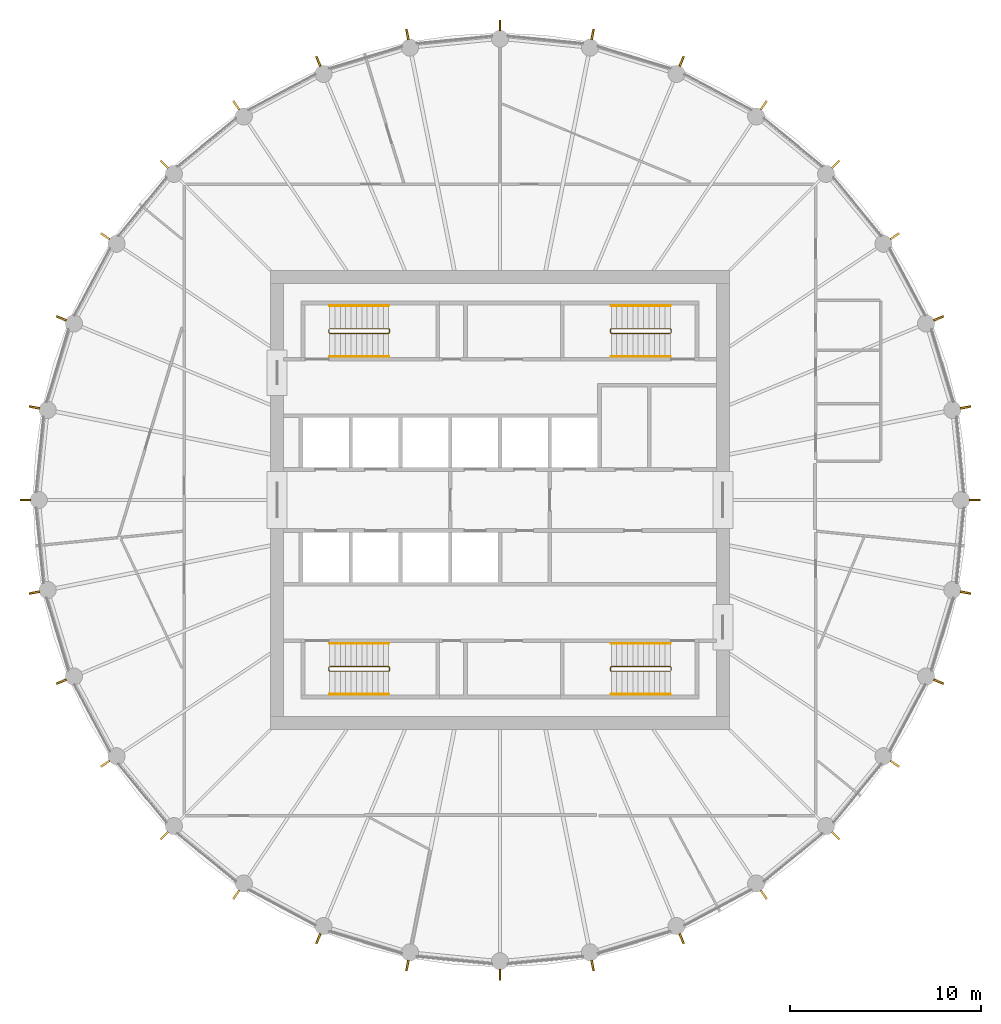
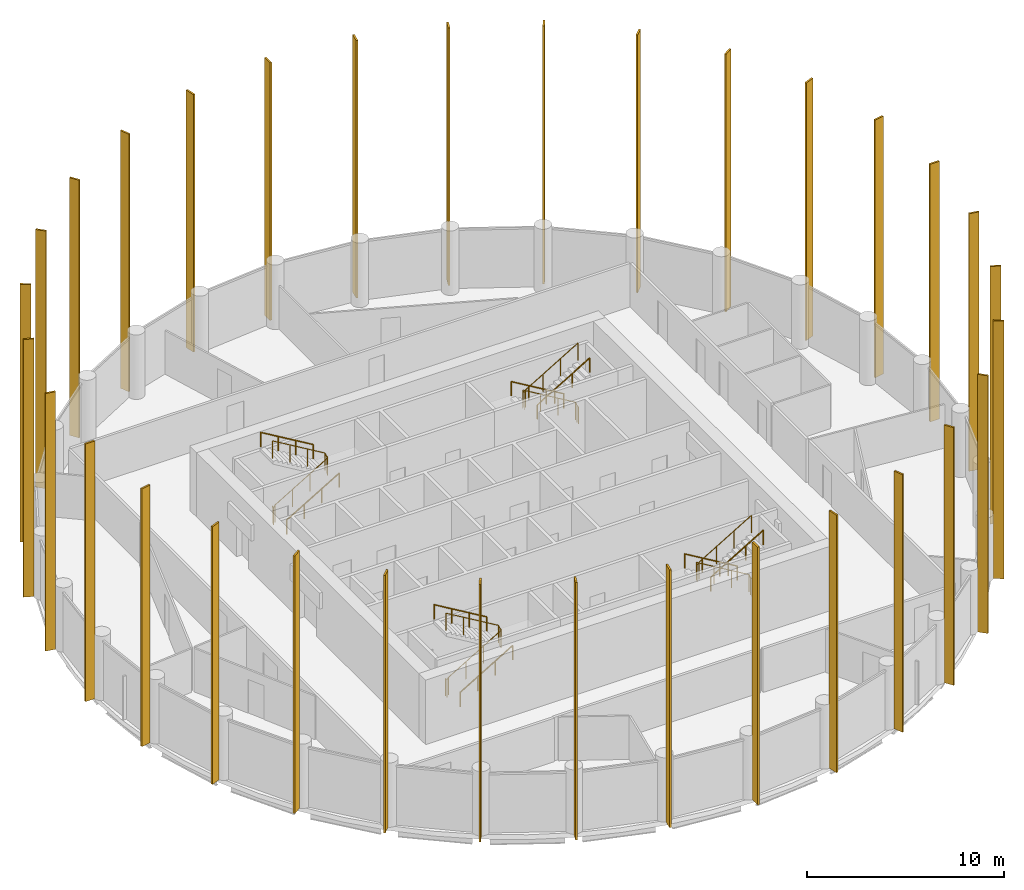
# One storey, part 7 of 7: 32 shading devices, 12 railings.
"""IFC4 building model written with IfcOpenShell, lengths in metres."""

from ifc_helpers import new_model, si_unit, direction, frame, origin, origin_2d, place, context, subcontext, project, spatial, rectangle, circle, extrude, material, material_profile, profile_set, type_object, element, save


model = new_model("IFC4")

# Units and contexts
model_context = context("Model", 3, precision=1e-05, world=origin(), true_north=direction((0.0, 1.0)))
body_context = subcontext(model_context, "Body", "Model", "MODEL_VIEW")
ifc_project = project(units=[si_unit("LENGTHUNIT", "METRE"), si_unit("AREAUNIT", "SQUARE_METRE"), si_unit("VOLUMEUNIT", "CUBIC_METRE"), si_unit("PLANEANGLEUNIT", "RADIAN"), si_unit("MASSUNIT", "GRAM", prefix="KILO")], contexts=[model_context])

# Site, building, storey
site_placement = place(None, origin())
site = spatial("IfcSite", under=ifc_project, at=site_placement, CompositionType="ELEMENT")
building_placement = place(site_placement, origin())
building = spatial("IfcBuilding", under=site, at=building_placement, Name="Corvane Civic Tower", CompositionType="ELEMENT")
storey_placement = place(building_placement, frame((0.0, 0.0, 279.0)))
storey = spatial("IfcBuildingStorey", under=building, at=storey_placement, Name="L66", CompositionType="ELEMENT", Elevation=279.0)

# Railings
ifc_material_1 = material(Name="Steel ASTM A572 Gr 50", Category="steel")
railing_type_1 = type_object("IfcRailingType", Name="ST-GUARD-1100", PredefinedType="GUARDRAIL", material=ifc_material_1)
railing_1_placement = place(storey_placement, frame((8.949951171875, 8.75, 0.0)))
element("IfcRailing", 1, at=railing_1_placement, inside=storey, type_object=railing_type_1, Name="L66 ST1 stair guard 1", PredefinedType="GUARDRAIL", context=body_context, shape_type="SweptSolid", body=[
    extrude(circle(Radius=0.02392578125, at=origin_2d()), frame((0.0, 0.0, 1.076171875), z_axis=(0.0, 1.0, 0.0), x_axis=(-1.0, 0.0, 0.0)), (0.0, 0.0, 1.0), 0.14990234375),
    extrude(circle(Radius=0.02392578125, at=origin_2d()), frame((0.0, 0.14990234375, 1.076171875), z_axis=(-0.27628659633, 0.27628659633, 0.920506074601), x_axis=(-0.707106781187, -0.707106781187, 0.0)), (0.0, 0.0, 1.0), 0.18115234375),
    extrude(circle(Radius=0.02392578125, at=origin_2d()), frame((-0.050048828125, 0.199951171875, 1.24267578125), z_axis=(-0.859290745958, 0.0, 0.51148745235), x_axis=(0.0, -1.0, 0.0)), (0.0, 0.0, 1.0), 3.584228515625),
    extrude(circle(Radius=0.02392578125, at=origin_2d()), frame((-3.1298828125, 0.199951171875, 3.076171875), z_axis=(-0.707106781187, -0.707106781187, 0.0), x_axis=(0.707106781187, -0.707106781187, 0.0)), (0.0, 0.0, 1.0), 0.07080078125),
    extrude(circle(Radius=0.02392578125, at=origin_2d()), frame((-3.179931640625, 0.14990234375, 3.076171875), z_axis=(0.0, -1.0, 0.0), x_axis=(1.0, 0.0, 0.0)), (0.0, 0.0, 1.0), 0.14990234375),
    extrude(circle(Radius=0.02392578125, at=origin_2d()), frame((-3.179931640625, 0.0, 3.076171875), z_axis=(0.27628659633, -0.27628659633, 0.920506074601), x_axis=(0.707106781187, 0.707106781187, 0.0)), (0.0, 0.0, 1.0), 0.18115234375),
    extrude(circle(Radius=0.02392578125, at=origin_2d()), frame((-3.1298828125, -0.050048828125, 3.24267578125), z_axis=(0.859290745958, 0.0, 0.51148745235), x_axis=(0.0, 1.0, 0.0)), (0.0, 0.0, 1.0), 3.584228515625),
    extrude(circle(Radius=0.02099609375, at=origin_2d()), origin(), (0.0, 0.0, 1.0), 1.052001953125),
    extrude(circle(Radius=0.02099609375, at=origin_2d()), frame((0.0, 0.14990234375, 0.0)), (0.0, 0.0, 1.0), 1.052001953125),
    extrude(circle(Radius=0.02099609375, at=origin_2d()), frame((-0.050048828125, 0.199951171875, 0.166748046875)), (0.0, 0.0, 1.0), 1.052001953125),
    extrude(circle(Radius=0.02099609375, at=origin_2d()), frame((-1.07666015625, 0.199951171875, 0.77783203125)), (0.0, 0.0, 1.0), 1.052001953125),
    extrude(circle(Radius=0.02099609375, at=origin_2d()), frame((-2.103271484375, 0.199951171875, 1.388916015625)), (0.0, 0.0, 1.0), 1.052001953125),
    extrude(circle(Radius=0.02099609375, at=origin_2d()), frame((-3.1298828125, 0.199951171875, 2.0)), (0.0, 0.0, 1.0), 1.052001953125),
    extrude(circle(Radius=0.02099609375, at=origin_2d()), frame((-3.179931640625, 0.14990234375, 2.0)), (0.0, 0.0, 1.0), 1.052001953125),
    extrude(circle(Radius=0.02099609375, at=origin_2d()), frame((-3.179931640625, 0.0, 2.0)), (0.0, 0.0, 1.0), 1.052001953125),
    extrude(circle(Radius=0.02099609375, at=origin_2d()), frame((-3.1298828125, -0.050048828125, 2.166748046875)), (0.0, 0.0, 1.0), 1.052001953125),
    extrude(circle(Radius=0.02099609375, at=origin_2d()), frame((-2.103271484375, -0.050048828125, 2.77783203125)), (0.0, 0.0, 1.0), 1.052001953125),
    extrude(circle(Radius=0.02099609375, at=origin_2d()), frame((-1.07666015625, -0.050048828125, 3.388916015625)), (0.0, 0.0, 1.0), 1.052001953125),
    extrude(circle(Radius=0.02099609375, at=origin_2d()), frame((-0.050048828125, -0.050048828125, 4.0)), (0.0, 0.0, 1.0), 1.052001953125),
])
railing_2_placement = place(storey_placement, frame((8.949951171875, -8.89990234375, 0.0)))
element("IfcRailing", 2, at=railing_2_placement, inside=storey, type_object=railing_type_1, Name="L66 ST2 stair guard 1", PredefinedType="GUARDRAIL", context=body_context, shape_type="SweptSolid", body=[
    extrude(circle(Radius=0.02392578125, at=origin_2d()), frame((0.0, 0.0, 1.076171875), z_axis=(0.0, 1.0, 0.0), x_axis=(-1.0, 0.0, 0.0)), (0.0, 0.0, 1.0), 0.14990234375),
    extrude(circle(Radius=0.02392578125, at=origin_2d()), frame((0.0, 0.14990234375, 1.076171875), z_axis=(-0.27628659633, 0.27628659633, 0.920506074601), x_axis=(-0.707106781187, -0.707106781187, 0.0)), (0.0, 0.0, 1.0), 0.18115234375),
    extrude(circle(Radius=0.02392578125, at=origin_2d()), frame((-0.050048828125, 0.199951171875, 1.24267578125), z_axis=(-0.859290745958, 0.0, 0.51148745235), x_axis=(0.0, -1.0, 0.0)), (0.0, 0.0, 1.0), 3.584228515625),
    extrude(circle(Radius=0.02392578125, at=origin_2d()), frame((-3.1298828125, 0.199951171875, 3.076171875), z_axis=(-0.707106781187, -0.707106781187, 0.0), x_axis=(0.707106781187, -0.707106781187, 0.0)), (0.0, 0.0, 1.0), 0.07080078125),
    extrude(circle(Radius=0.02392578125, at=origin_2d()), frame((-3.179931640625, 0.14990234375, 3.076171875), z_axis=(0.0, -1.0, 0.0), x_axis=(1.0, 0.0, 0.0)), (0.0, 0.0, 1.0), 0.14990234375),
    extrude(circle(Radius=0.02392578125, at=origin_2d()), frame((-3.179931640625, 0.0, 3.076171875), z_axis=(0.27628659633, -0.27628659633, 0.920506074601), x_axis=(0.707106781187, 0.707106781187, 0.0)), (0.0, 0.0, 1.0), 0.18115234375),
    extrude(circle(Radius=0.02392578125, at=origin_2d()), frame((-3.1298828125, -0.050048828125, 3.24267578125), z_axis=(0.859290745958, 0.0, 0.51148745235), x_axis=(0.0, 1.0, 0.0)), (0.0, 0.0, 1.0), 3.584228515625),
    extrude(circle(Radius=0.02099609375, at=origin_2d()), origin(), (0.0, 0.0, 1.0), 1.052001953125),
    extrude(circle(Radius=0.02099609375, at=origin_2d()), frame((0.0, 0.14990234375, 0.0)), (0.0, 0.0, 1.0), 1.052001953125),
    extrude(circle(Radius=0.02099609375, at=origin_2d()), frame((-0.050048828125, 0.199951171875, 0.166748046875)), (0.0, 0.0, 1.0), 1.052001953125),
    extrude(circle(Radius=0.02099609375, at=origin_2d()), frame((-1.07666015625, 0.199951171875, 0.77783203125)), (0.0, 0.0, 1.0), 1.052001953125),
    extrude(circle(Radius=0.02099609375, at=origin_2d()), frame((-2.103271484375, 0.199951171875, 1.388916015625)), (0.0, 0.0, 1.0), 1.052001953125),
    extrude(circle(Radius=0.02099609375, at=origin_2d()), frame((-3.1298828125, 0.199951171875, 2.0)), (0.0, 0.0, 1.0), 1.052001953125),
    extrude(circle(Radius=0.02099609375, at=origin_2d()), frame((-3.179931640625, 0.14990234375, 2.0)), (0.0, 0.0, 1.0), 1.052001953125),
    extrude(circle(Radius=0.02099609375, at=origin_2d()), frame((-3.179931640625, 0.0, 2.0)), (0.0, 0.0, 1.0), 1.052001953125),
    extrude(circle(Radius=0.02099609375, at=origin_2d()), frame((-3.1298828125, -0.050048828125, 2.166748046875)), (0.0, 0.0, 1.0), 1.052001953125),
    extrude(circle(Radius=0.02099609375, at=origin_2d()), frame((-2.103271484375, -0.050048828125, 2.77783203125)), (0.0, 0.0, 1.0), 1.052001953125),
    extrude(circle(Radius=0.02099609375, at=origin_2d()), frame((-1.07666015625, -0.050048828125, 3.388916015625)), (0.0, 0.0, 1.0), 1.052001953125),
    extrude(circle(Radius=0.02099609375, at=origin_2d()), frame((-0.050048828125, -0.050048828125, 4.0)), (0.0, 0.0, 1.0), 1.052001953125),
])
railing_3_placement = place(storey_placement, frame((-8.949951171875, -8.75, 0.0)))
element("IfcRailing", 3, at=railing_3_placement, inside=storey, type_object=railing_type_1, Name="L66 ST3 stair guard 1", PredefinedType="GUARDRAIL", context=body_context, shape_type="SweptSolid", body=[
    extrude(circle(Radius=0.02392578125, at=origin_2d()), frame((0.0, 0.0, 1.076171875), z_axis=(0.0, -1.0, 0.0), x_axis=(1.0, 0.0, 0.0)), (0.0, 0.0, 1.0), 0.14990234375),
    extrude(circle(Radius=0.02392578125, at=origin_2d()), frame((0.0, -0.14990234375, 1.076171875), z_axis=(0.27628659633, -0.27628659633, 0.920506074601), x_axis=(0.707106781187, 0.707106781187, 0.0)), (0.0, 0.0, 1.0), 0.18115234375),
    extrude(circle(Radius=0.02392578125, at=origin_2d()), frame((0.050048828125, -0.199951171875, 1.24267578125), z_axis=(0.859290745958, 0.0, 0.51148745235), x_axis=(0.0, 1.0, 0.0)), (0.0, 0.0, 1.0), 3.584228515625),
    extrude(circle(Radius=0.02392578125, at=origin_2d()), frame((3.1298828125, -0.199951171875, 3.076171875), z_axis=(0.707106781187, 0.707106781187, 0.0), x_axis=(-0.707106781187, 0.707106781187, 0.0)), (0.0, 0.0, 1.0), 0.07080078125),
    extrude(circle(Radius=0.02392578125, at=origin_2d()), frame((3.179931640625, -0.14990234375, 3.076171875), z_axis=(0.0, 1.0, 0.0), x_axis=(-1.0, 0.0, 0.0)), (0.0, 0.0, 1.0), 0.14990234375),
    extrude(circle(Radius=0.02392578125, at=origin_2d()), frame((3.179931640625, 0.0, 3.076171875), z_axis=(-0.27628659633, 0.27628659633, 0.920506074601), x_axis=(-0.707106781187, -0.707106781187, 0.0)), (0.0, 0.0, 1.0), 0.18115234375),
    extrude(circle(Radius=0.02392578125, at=origin_2d()), frame((3.1298828125, 0.050048828125, 3.24267578125), z_axis=(-0.859290745958, 0.0, 0.51148745235), x_axis=(0.0, -1.0, 0.0)), (0.0, 0.0, 1.0), 3.584228515625),
    extrude(circle(Radius=0.02099609375, at=origin_2d()), origin(), (0.0, 0.0, 1.0), 1.052001953125),
    extrude(circle(Radius=0.02099609375, at=origin_2d()), frame((0.0, -0.14990234375, 0.0)), (0.0, 0.0, 1.0), 1.052001953125),
    extrude(circle(Radius=0.02099609375, at=origin_2d()), frame((0.050048828125, -0.199951171875, 0.166748046875)), (0.0, 0.0, 1.0), 1.052001953125),
    extrude(circle(Radius=0.02099609375, at=origin_2d()), frame((1.07666015625, -0.199951171875, 0.77783203125)), (0.0, 0.0, 1.0), 1.052001953125),
    extrude(circle(Radius=0.02099609375, at=origin_2d()), frame((2.103271484375, -0.199951171875, 1.388916015625)), (0.0, 0.0, 1.0), 1.052001953125),
    extrude(circle(Radius=0.02099609375, at=origin_2d()), frame((3.1298828125, -0.199951171875, 2.0)), (0.0, 0.0, 1.0), 1.052001953125),
    extrude(circle(Radius=0.02099609375, at=origin_2d()), frame((3.179931640625, -0.14990234375, 2.0)), (0.0, 0.0, 1.0), 1.052001953125),
    extrude(circle(Radius=0.02099609375, at=origin_2d()), frame((3.179931640625, 0.0, 2.0)), (0.0, 0.0, 1.0), 1.052001953125),
    extrude(circle(Radius=0.02099609375, at=origin_2d()), frame((3.1298828125, 0.050048828125, 2.166748046875)), (0.0, 0.0, 1.0), 1.052001953125),
    extrude(circle(Radius=0.02099609375, at=origin_2d()), frame((2.103271484375, 0.050048828125, 2.77783203125)), (0.0, 0.0, 1.0), 1.052001953125),
    extrude(circle(Radius=0.02099609375, at=origin_2d()), frame((1.07666015625, 0.050048828125, 3.388916015625)), (0.0, 0.0, 1.0), 1.052001953125),
    extrude(circle(Radius=0.02099609375, at=origin_2d()), frame((0.050048828125, 0.050048828125, 4.0)), (0.0, 0.0, 1.0), 1.052001953125),
])
railing_4_placement = place(storey_placement, frame((-8.949951171875, 8.89990234375, 0.0)))
element("IfcRailing", 4, at=railing_4_placement, inside=storey, type_object=railing_type_1, Name="L66 ST4 stair guard 1", PredefinedType="GUARDRAIL", context=body_context, shape_type="SweptSolid", body=[
    extrude(circle(Radius=0.02392578125, at=origin_2d()), frame((0.0, 0.0, 1.076171875), z_axis=(0.0, -1.0, 0.0), x_axis=(1.0, 0.0, 0.0)), (0.0, 0.0, 1.0), 0.14990234375),
    extrude(circle(Radius=0.02392578125, at=origin_2d()), frame((0.0, -0.14990234375, 1.076171875), z_axis=(0.27628659633, -0.27628659633, 0.920506074601), x_axis=(0.707106781187, 0.707106781187, 0.0)), (0.0, 0.0, 1.0), 0.18115234375),
    extrude(circle(Radius=0.02392578125, at=origin_2d()), frame((0.050048828125, -0.199951171875, 1.24267578125), z_axis=(0.859290745958, 0.0, 0.51148745235), x_axis=(0.0, 1.0, 0.0)), (0.0, 0.0, 1.0), 3.584228515625),
    extrude(circle(Radius=0.02392578125, at=origin_2d()), frame((3.1298828125, -0.199951171875, 3.076171875), z_axis=(0.707106781187, 0.707106781187, 0.0), x_axis=(-0.707106781187, 0.707106781187, 0.0)), (0.0, 0.0, 1.0), 0.07080078125),
    extrude(circle(Radius=0.02392578125, at=origin_2d()), frame((3.179931640625, -0.14990234375, 3.076171875), z_axis=(0.0, 1.0, 0.0), x_axis=(-1.0, 0.0, 0.0)), (0.0, 0.0, 1.0), 0.14990234375),
    extrude(circle(Radius=0.02392578125, at=origin_2d()), frame((3.179931640625, 0.0, 3.076171875), z_axis=(-0.27628659633, 0.27628659633, 0.920506074601), x_axis=(-0.707106781187, -0.707106781187, 0.0)), (0.0, 0.0, 1.0), 0.18115234375),
    extrude(circle(Radius=0.02392578125, at=origin_2d()), frame((3.1298828125, 0.050048828125, 3.24267578125), z_axis=(-0.859290745958, 0.0, 0.51148745235), x_axis=(0.0, -1.0, 0.0)), (0.0, 0.0, 1.0), 3.584228515625),
    extrude(circle(Radius=0.02099609375, at=origin_2d()), origin(), (0.0, 0.0, 1.0), 1.052001953125),
    extrude(circle(Radius=0.02099609375, at=origin_2d()), frame((0.0, -0.14990234375, 0.0)), (0.0, 0.0, 1.0), 1.052001953125),
    extrude(circle(Radius=0.02099609375, at=origin_2d()), frame((0.050048828125, -0.199951171875, 0.166748046875)), (0.0, 0.0, 1.0), 1.052001953125),
    extrude(circle(Radius=0.02099609375, at=origin_2d()), frame((1.07666015625, -0.199951171875, 0.77783203125)), (0.0, 0.0, 1.0), 1.052001953125),
    extrude(circle(Radius=0.02099609375, at=origin_2d()), frame((2.103271484375, -0.199951171875, 1.388916015625)), (0.0, 0.0, 1.0), 1.052001953125),
    extrude(circle(Radius=0.02099609375, at=origin_2d()), frame((3.1298828125, -0.199951171875, 2.0)), (0.0, 0.0, 1.0), 1.052001953125),
    extrude(circle(Radius=0.02099609375, at=origin_2d()), frame((3.179931640625, -0.14990234375, 2.0)), (0.0, 0.0, 1.0), 1.052001953125),
    extrude(circle(Radius=0.02099609375, at=origin_2d()), frame((3.179931640625, 0.0, 2.0)), (0.0, 0.0, 1.0), 1.052001953125),
    extrude(circle(Radius=0.02099609375, at=origin_2d()), frame((3.1298828125, 0.050048828125, 2.166748046875)), (0.0, 0.0, 1.0), 1.052001953125),
    extrude(circle(Radius=0.02099609375, at=origin_2d()), frame((2.103271484375, 0.050048828125, 2.77783203125)), (0.0, 0.0, 1.0), 1.052001953125),
    extrude(circle(Radius=0.02099609375, at=origin_2d()), frame((1.07666015625, 0.050048828125, 3.388916015625)), (0.0, 0.0, 1.0), 1.052001953125),
    extrude(circle(Radius=0.02099609375, at=origin_2d()), frame((0.050048828125, 0.050048828125, 4.0)), (0.0, 0.0, 1.0), 1.052001953125),
])
ifc_material_2 = material(Name="Steel ASTM A572 Gr 50", Category="steel")
railing_type_2 = type_object("IfcRailingType", Name="ST-HANDRAIL-900", PredefinedType="HANDRAIL", material=ifc_material_2)
railing_5_placement = place(storey_placement, frame((8.89990234375, 10.14990234375, 0.166748046875)))
element("IfcRailing", 5, at=railing_5_placement, inside=storey, type_object=railing_type_2, Name="L66 ST1 stair handrail 1", PredefinedType="HANDRAIL", context=body_context, shape_type="SweptSolid", body=[
    extrude(circle(Radius=0.02392578125, at=origin_2d()), frame((0.0, 0.0, 0.8759765625), z_axis=(-0.859290745958, 0.0, 0.51148745235), x_axis=(0.0, -1.0, 0.0)), (0.0, 0.0, 1.0), 3.584228515625),
    extrude(circle(Radius=0.02099609375, at=origin_2d()), origin(), (0.0, 0.0, 1.0), 0.851806640625),
    extrude(circle(Radius=0.02099609375, at=origin_2d()), frame((-1.026611328125, 0.0, 0.611083984375)), (0.0, 0.0, 1.0), 0.851806640625),
    extrude(circle(Radius=0.02099609375, at=origin_2d()), frame((-2.05322265625, 0.0, 1.22216796875)), (0.0, 0.0, 1.0), 0.851806640625),
    extrude(circle(Radius=0.02099609375, at=origin_2d()), frame((-3.079833984375, 0.0, 1.833251953125)), (0.0, 0.0, 1.0), 0.851806640625),
])
railing_6_placement = place(storey_placement, frame((5.820068359375, 7.5, 2.166748046875)))
element("IfcRailing", 6, at=railing_6_placement, inside=storey, type_object=railing_type_2, Name="L66 ST1 stair handrail 2", PredefinedType="HANDRAIL", context=body_context, shape_type="SweptSolid", body=[
    extrude(circle(Radius=0.02392578125, at=origin_2d()), frame((0.0, 0.0, 0.8759765625), z_axis=(0.859290745958, 0.0, 0.51148745235), x_axis=(0.0, 1.0, 0.0)), (0.0, 0.0, 1.0), 3.584228515625),
    extrude(circle(Radius=0.02099609375, at=origin_2d()), origin(), (0.0, 0.0, 1.0), 0.851806640625),
    extrude(circle(Radius=0.02099609375, at=origin_2d()), frame((1.026611328125, 0.0, 0.611083984375)), (0.0, 0.0, 1.0), 0.851806640625),
    extrude(circle(Radius=0.02099609375, at=origin_2d()), frame((2.05322265625, 0.0, 1.22216796875)), (0.0, 0.0, 1.0), 0.851806640625),
    extrude(circle(Radius=0.02099609375, at=origin_2d()), frame((3.079833984375, 0.0, 1.833251953125)), (0.0, 0.0, 1.0), 0.851806640625),
])
railing_7_placement = place(storey_placement, frame((8.89990234375, -7.5, 0.166748046875)))
element("IfcRailing", 7, at=railing_7_placement, inside=storey, type_object=railing_type_2, Name="L66 ST2 stair handrail 1", PredefinedType="HANDRAIL", context=body_context, shape_type="SweptSolid", body=[
    extrude(circle(Radius=0.02392578125, at=origin_2d()), frame((0.0, 0.0, 0.8759765625), z_axis=(-0.859290745958, 0.0, 0.51148745235), x_axis=(0.0, -1.0, 0.0)), (0.0, 0.0, 1.0), 3.584228515625),
    extrude(circle(Radius=0.02099609375, at=origin_2d()), origin(), (0.0, 0.0, 1.0), 0.851806640625),
    extrude(circle(Radius=0.02099609375, at=origin_2d()), frame((-1.026611328125, 0.0, 0.611083984375)), (0.0, 0.0, 1.0), 0.851806640625),
    extrude(circle(Radius=0.02099609375, at=origin_2d()), frame((-2.05322265625, 0.0, 1.22216796875)), (0.0, 0.0, 1.0), 0.851806640625),
    extrude(circle(Radius=0.02099609375, at=origin_2d()), frame((-3.079833984375, 0.0, 1.833251953125)), (0.0, 0.0, 1.0), 0.851806640625),
])
for number, where, name in (
    (8, (5.820068359375, -10.14990234375, 2.166748046875), "L66 ST2 stair handrail 2"),
    (9, (-8.89990234375, -10.14990234375, 0.166748046875), "L66 ST3 stair handrail 1"),
):
    element("IfcRailing", number, at=place(storey_placement, frame(where)), inside=storey, type_object=railing_type_2, Name=name, PredefinedType="HANDRAIL", context=body_context, shape_type="SweptSolid", body=[
        extrude(circle(Radius=0.02392578125, at=origin_2d()), frame((0.0, 0.0, 0.8759765625), z_axis=(0.859290745958, 0.0, 0.51148745235), x_axis=(0.0, 1.0, 0.0)), (0.0, 0.0, 1.0), 3.584228515625),
        extrude(circle(Radius=0.02099609375, at=origin_2d()), origin(), (0.0, 0.0, 1.0), 0.851806640625),
        extrude(circle(Radius=0.02099609375, at=origin_2d()), frame((1.026611328125, 0.0, 0.611083984375)), (0.0, 0.0, 1.0), 0.851806640625),
        extrude(circle(Radius=0.02099609375, at=origin_2d()), frame((2.05322265625, 0.0, 1.22216796875)), (0.0, 0.0, 1.0), 0.851806640625),
        extrude(circle(Radius=0.02099609375, at=origin_2d()), frame((3.079833984375, 0.0, 1.833251953125)), (0.0, 0.0, 1.0), 0.851806640625),
    ])
railing_8_placement = place(storey_placement, frame((-5.820068359375, -7.5, 2.166748046875)))
element("IfcRailing", 10, at=railing_8_placement, inside=storey, type_object=railing_type_2, Name="L66 ST3 stair handrail 2", PredefinedType="HANDRAIL", context=body_context, shape_type="SweptSolid", body=[
    extrude(circle(Radius=0.02392578125, at=origin_2d()), frame((0.0, 0.0, 0.8759765625), z_axis=(-0.859290745958, 0.0, 0.51148745235), x_axis=(0.0, -1.0, 0.0)), (0.0, 0.0, 1.0), 3.584228515625),
    extrude(circle(Radius=0.02099609375, at=origin_2d()), origin(), (0.0, 0.0, 1.0), 0.851806640625),
    extrude(circle(Radius=0.02099609375, at=origin_2d()), frame((-1.026611328125, 0.0, 0.611083984375)), (0.0, 0.0, 1.0), 0.851806640625),
    extrude(circle(Radius=0.02099609375, at=origin_2d()), frame((-2.05322265625, 0.0, 1.22216796875)), (0.0, 0.0, 1.0), 0.851806640625),
    extrude(circle(Radius=0.02099609375, at=origin_2d()), frame((-3.079833984375, 0.0, 1.833251953125)), (0.0, 0.0, 1.0), 0.851806640625),
])
railing_9_placement = place(storey_placement, frame((-8.89990234375, 7.5, 0.166748046875)))
element("IfcRailing", 11, at=railing_9_placement, inside=storey, type_object=railing_type_2, Name="L66 ST4 stair handrail 1", PredefinedType="HANDRAIL", context=body_context, shape_type="SweptSolid", body=[
    extrude(circle(Radius=0.02392578125, at=origin_2d()), frame((0.0, 0.0, 0.8759765625), z_axis=(0.859290745958, 0.0, 0.51148745235), x_axis=(0.0, 1.0, 0.0)), (0.0, 0.0, 1.0), 3.584228515625),
    extrude(circle(Radius=0.02099609375, at=origin_2d()), origin(), (0.0, 0.0, 1.0), 0.851806640625),
    extrude(circle(Radius=0.02099609375, at=origin_2d()), frame((1.026611328125, 0.0, 0.611083984375)), (0.0, 0.0, 1.0), 0.851806640625),
    extrude(circle(Radius=0.02099609375, at=origin_2d()), frame((2.05322265625, 0.0, 1.22216796875)), (0.0, 0.0, 1.0), 0.851806640625),
    extrude(circle(Radius=0.02099609375, at=origin_2d()), frame((3.079833984375, 0.0, 1.833251953125)), (0.0, 0.0, 1.0), 0.851806640625),
])
railing_10_placement = place(storey_placement, frame((-5.820068359375, 10.14990234375, 2.166748046875)))
element("IfcRailing", 12, at=railing_10_placement, inside=storey, type_object=railing_type_2, Name="L66 ST4 stair handrail 2", PredefinedType="HANDRAIL", context=body_context, shape_type="SweptSolid", body=[
    extrude(circle(Radius=0.02392578125, at=origin_2d()), frame((0.0, 0.0, 0.8759765625), z_axis=(-0.859290745958, 0.0, 0.51148745235), x_axis=(0.0, -1.0, 0.0)), (0.0, 0.0, 1.0), 3.584228515625),
    extrude(circle(Radius=0.02099609375, at=origin_2d()), origin(), (0.0, 0.0, 1.0), 0.851806640625),
    extrude(circle(Radius=0.02099609375, at=origin_2d()), frame((-1.026611328125, 0.0, 0.611083984375)), (0.0, 0.0, 1.0), 0.851806640625),
    extrude(circle(Radius=0.02099609375, at=origin_2d()), frame((-2.05322265625, 0.0, 1.22216796875)), (0.0, 0.0, 1.0), 0.851806640625),
    extrude(circle(Radius=0.02099609375, at=origin_2d()), frame((-3.079833984375, 0.0, 1.833251953125)), (0.0, 0.0, 1.0), 0.851806640625),
])

# Shading devices
ifc_material_3 = material(Name="Anodised aluminium bronze", Category="aluminium")
ifc_material_profile = material_profile(ifc_material_3, rectangle(XDim=0.10009765625, YDim=0.550048828125, at=origin_2d()), Name="TOWER FIN STACK 100x550 BRONZE")
ifc_profile_set = profile_set([ifc_material_profile], Name="Anodised aluminium bronze")
shading_device_type = type_object("IfcShadingDeviceType", Name="TOWER FIN STACK 100x550 BRONZE", PredefinedType="USERDEFINED", material=ifc_profile_set)
for number, where, z_axis, x_axis, name in (
    (13, (0.0, 24.804931640625, 0.0), (0.0, 0.0, 1.0), (1.0, 0.0, 0.0), "Fin 01 L66 to L69"),
    (14, (4.839111328125, 24.328369140625, 0.0), (0.0, 0.0, 1.0), (0.980785280403, -0.195090322016, 0.0), "Fin 02 L66 to L69"),
    (15, (9.492431640625, 22.916748046875, 0.0), (0.0, 0.0, 1.0), (0.923879532511, -0.382683432365, 0.0), "Fin 03 L66 to L69"),
    (16, (13.781005859375, 20.62451171875, 0.0), (0.0, 0.0, 1.0), (0.831469612303, -0.55557023302, 0.0), "Fin 04 L66 to L69"),
    (17, (17.539794921875, 17.539794921875, 0.0), (0.0, 0.0, 1.0), (0.707106781187, -0.707106781187, 0.0), "Fin 05 L66 to L69"),
    (18, (20.62451171875, 13.781005859375, 0.0), (0.0, 0.0, 1.0), (0.55557023302, -0.831469612303, 0.0), "Fin 06 L66 to L69"),
    (19, (22.916748046875, 9.492431640625, 0.0), (0.0, 0.0, 1.0), (0.382683432365, -0.923879532511, 0.0), "Fin 07 L66 to L69"),
    (20, (24.328369140625, 4.839111328125, 0.0), (0.0, 0.0, 1.0), (0.195090322016, -0.980785280403, 0.0), "Fin 08 L66 to L69"),
    (21, (24.804931640625, 0.0, 0.0), (0.0, 0.0, 1.0), (0.0, -1.0, 0.0), "Fin 09 L66 to L69"),
    (22, (24.328369140625, -4.839111328125, 0.0), (0.0, 0.0, 1.0), (-0.195090322016, -0.980785280403, 0.0), "Fin 10 L66 to L69"),
    (23, (22.916748046875, -9.492431640625, 0.0), (0.0, 0.0, 1.0), (-0.382683432365, -0.923879532511, 0.0), "Fin 11 L66 to L69"),
    (24, (20.62451171875, -13.781005859375, 0.0), (0.0, 0.0, 1.0), (-0.55557023302, -0.831469612303, 0.0), "Fin 12 L66 to L69"),
    (25, (17.539794921875, -17.539794921875, 0.0), (0.0, 0.0, 1.0), (-0.707106781187, -0.707106781187, 0.0), "Fin 13 L66 to L69"),
    (26, (13.781005859375, -20.62451171875, 0.0), (0.0, 0.0, 1.0), (-0.831469612303, -0.55557023302, 0.0), "Fin 14 L66 to L69"),
    (27, (9.492431640625, -22.916748046875, 0.0), (0.0, 0.0, 1.0), (-0.923879532511, -0.382683432365, 0.0), "Fin 15 L66 to L69"),
    (28, (4.839111328125, -24.328369140625, 0.0), (0.0, 0.0, 1.0), (-0.980785280403, -0.195090322016, 0.0), "Fin 16 L66 to L69"),
    (29, (0.0, -24.804931640625, 0.0), (0.0, 0.0, 1.0), (-1.0, 0.0, 0.0), "Fin 17 L66 to L69"),
    (30, (-4.839111328125, -24.328369140625, 0.0), (0.0, 0.0, 1.0), (-0.980785280403, 0.195090322016, 0.0), "Fin 18 L66 to L69"),
    (31, (-9.492431640625, -22.916748046875, 0.0), (0.0, 0.0, 1.0), (-0.923879532511, 0.382683432365, 0.0), "Fin 19 L66 to L69"),
    (32, (-13.781005859375, -20.62451171875, 0.0), (0.0, 0.0, 1.0), (-0.831469612303, 0.55557023302, 0.0), "Fin 20 L66 to L69"),
    (33, (-17.539794921875, -17.539794921875, 0.0), (0.0, 0.0, 1.0), (-0.707106781187, 0.707106781187, 0.0), "Fin 21 L66 to L69"),
    (34, (-20.62451171875, -13.781005859375, 0.0), (0.0, 0.0, 1.0), (-0.55557023302, 0.831469612303, 0.0), "Fin 22 L66 to L69"),
    (35, (-22.916748046875, -9.492431640625, 0.0), (0.0, 0.0, 1.0), (-0.382683432365, 0.923879532511, 0.0), "Fin 23 L66 to L69"),
    (36, (-24.328369140625, -4.839111328125, 0.0), (0.0, 0.0, 1.0), (-0.195090322016, 0.980785280403, 0.0), "Fin 24 L66 to L69"),
    (37, (-24.804931640625, 0.0, 0.0), (0.0, 0.0, 1.0), (0.0, 1.0, 0.0), "Fin 25 L66 to L69"),
    (38, (-24.328369140625, 4.839111328125, 0.0), (0.0, 0.0, 1.0), (0.195090322016, 0.980785280403, 0.0), "Fin 26 L66 to L69"),
    (39, (-22.916748046875, 9.492431640625, 0.0), (0.0, 0.0, 1.0), (0.382683432365, 0.923879532511, 0.0), "Fin 27 L66 to L69"),
    (40, (-20.62451171875, 13.781005859375, 0.0), (0.0, 0.0, 1.0), (0.55557023302, 0.831469612303, 0.0), "Fin 28 L66 to L69"),
    (41, (-17.539794921875, 17.539794921875, 0.0), (0.0, 0.0, 1.0), (0.707106781187, 0.707106781187, 0.0), "Fin 29 L66 to L69"),
    (42, (-13.781005859375, 20.62451171875, 0.0), (0.0, 0.0, 1.0), (0.831469612303, 0.55557023302, 0.0), "Fin 30 L66 to L69"),
    (43, (-9.492431640625, 22.916748046875, 0.0), (0.0, 0.0, 1.0), (0.923879532511, 0.382683432365, 0.0), "Fin 31 L66 to L69"),
    (44, (-4.839111328125, 24.328369140625, 0.0), (0.0, 0.0, 1.0), (0.980785280403, 0.195090322016, 0.0), "Fin 32 L66 to L69"),
):
    element("IfcShadingDevice", number, at=place(storey_placement, frame(where, z_axis=z_axis, x_axis=x_axis)), inside=storey, type_object=shading_device_type, Name=name, ObjectType="FIN", PredefinedType="USERDEFINED", context=body_context, shape_type="SweptSolid", body=[
        extrude(rectangle(XDim=0.10009765625, YDim=0.550048828125, at=origin_2d()), origin(), (0.0, 0.0, 1.0), 16.0),
    ])

save(model, "model.ifc")
